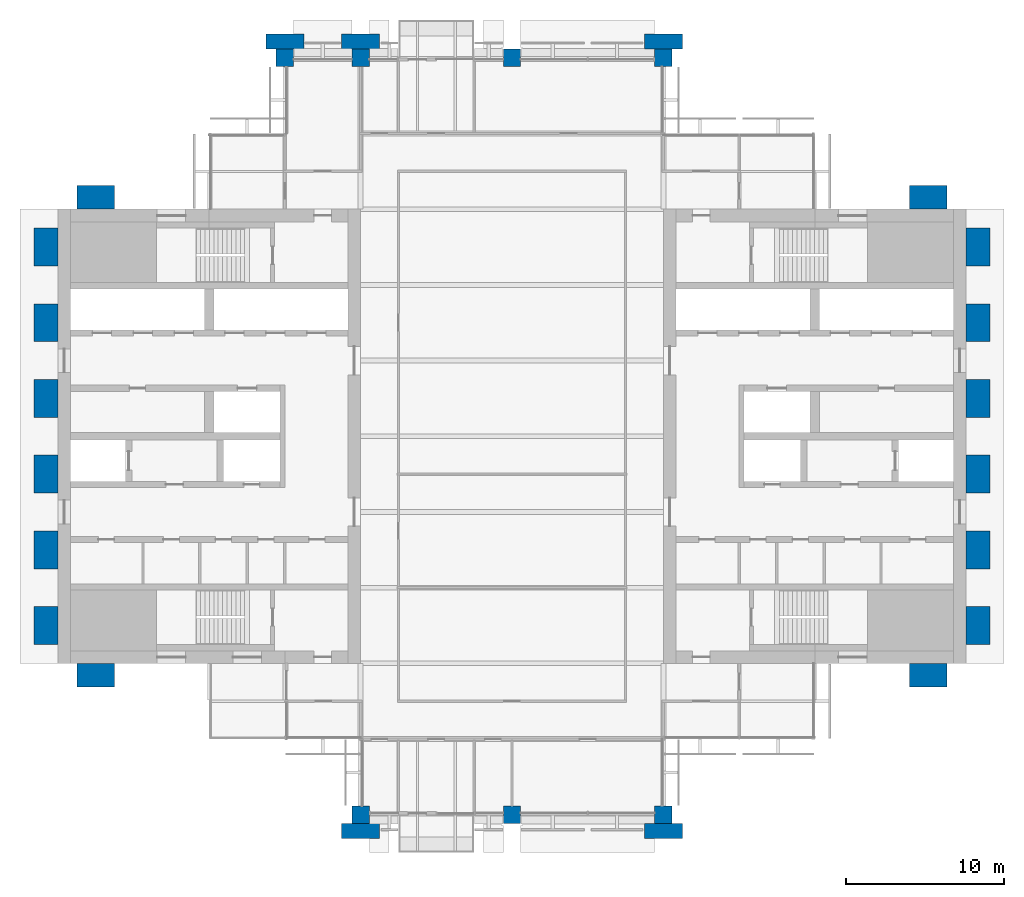
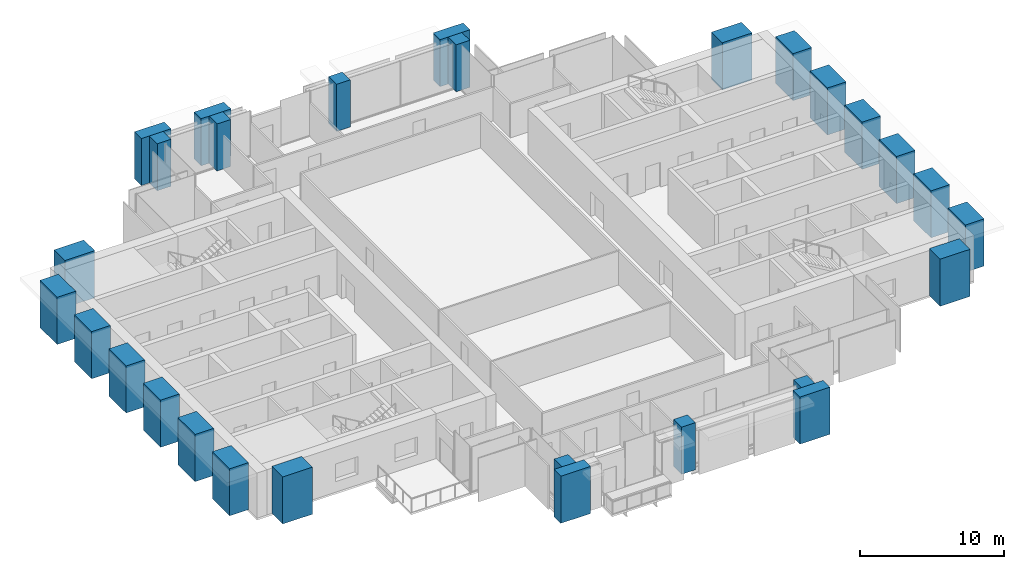
# One storey, part 1 of 14: 28 columns.
"""IFC4 building model written with IfcOpenShell, lengths in metres."""

from ifc_helpers import new_model, si_unit, direction, frame, origin, origin_2d, place, context, subcontext, project, spatial, rectangle, extrude, material, material_profile, profile_set, type_object, element, save


model = new_model("IFC4")

# Units and contexts
model_context = context("Model", 3, precision=1e-05, world=origin(), true_north=direction((0.0, 1.0)))
body_context = subcontext(model_context, "Body", "Model", "MODEL_VIEW")
ifc_project = project(units=[si_unit("LENGTHUNIT", "METRE"), si_unit("AREAUNIT", "SQUARE_METRE"), si_unit("VOLUMEUNIT", "CUBIC_METRE"), si_unit("PLANEANGLEUNIT", "RADIAN"), si_unit("MASSUNIT", "GRAM", prefix="KILO")], contexts=[model_context])

# Site, building, storey
site_placement = place(None, origin())
site = spatial("IfcSite", under=ifc_project, at=site_placement, CompositionType="ELEMENT")
building_placement = place(site_placement, origin())
building = spatial("IfcBuilding", under=site, at=building_placement, Name="Baori Bourse Tower", CompositionType="ELEMENT")
storey_placement = place(building_placement, frame((0.0, 0.0, 209.199951171875)))
storey = spatial("IfcBuildingStorey", under=building, at=storey_placement, Name="L45", CompositionType="ELEMENT", Elevation=209.199951171875)

# Columns
ifc_material_1 = material(Name="Concrete f'c 60 MPa", Category="concrete")
ifc_material_profile_1 = material_profile(ifc_material_1, rectangle(XDim=2.39990234375, YDim=0.949951171875, at=origin_2d()), Name="RC 2400x950")
ifc_profile_set_1 = profile_set([ifc_material_profile_1], Name="Concrete f'c 60 MPa")
column_type_1 = type_object("IfcColumnType", Name="FN3 Brick pilaster 2400x950", PredefinedType="PILASTER", material=ifc_profile_set_1)
for number, where, z_axis, x_axis, name in (
    (1, (19.199951171875, -1.02490234375, 0.0), (0.0, 0.0, 1.0), (1.0, 0.0, 0.0), "Brick pilaster L45 17"),
    (2, (38.39990234375, -1.02490234375, 0.0), (0.0, 0.0, 1.0), (1.0, 0.0, 0.0), "Brick pilaster L45 18"),
    (3, (14.39990234375, 49.02490234375, 0.0), (0.0, 0.0, 1.0), (1.0, 0.0, 0.0), "Brick pilaster L45 19"),
    (4, (19.199951171875, 49.02490234375, 0.0), (0.0, 0.0, 1.0), (1.0, 0.0, 0.0), "Brick pilaster L45 20"),
    (5, (38.39990234375, 49.02490234375, 0.0), (0.0, 0.0, 1.0), (1.0, 0.0, 0.0), "Brick pilaster L45 21"),
):
    element("IfcColumn", number, at=place(storey_placement, frame(where, z_axis=z_axis, x_axis=x_axis)), inside=storey, type_object=column_type_1, Name=name, PredefinedType="PILASTER", context=body_context, shape_type="SweptSolid", body=[
        extrude(rectangle(XDim=2.39990234375, YDim=0.949951171875, at=origin_2d()), origin(), (0.0, 0.0, 1.0), 4.0),
    ])
ifc_material_2 = material(Name="Concrete f'c 60 MPa", Category="concrete")
ifc_material_profile_2 = material_profile(ifc_material_2, rectangle(XDim=2.39990234375, YDim=1.5, at=origin_2d()), Name="RC 2400x1500")
ifc_profile_set_2 = profile_set([ifc_material_profile_2], Name="Concrete f'c 60 MPa")
column_type_2 = type_object("IfcColumnType", Name="FN4 Brick flank pilaster 2400x1500", PredefinedType="PILASTER", material=ifc_profile_set_2)
for number, where, z_axis, x_axis, name in (
    (6, (55.199951171875, 8.85009765625, 0.0), (0.0, 0.0, 1.0), (1.0, 0.0, 0.0), "Brick pilaster L45 1"),
    (7, (58.35009765625, 12.0, 0.0), (0.0, 0.0, 1.0), (0.0, 1.0, 0.0), "Brick pilaster L45 2"),
    (8, (58.35009765625, 16.800048828125, 0.0), (0.0, 0.0, 1.0), (0.0, 1.0, 0.0), "Brick pilaster L45 3"),
    (9, (58.35009765625, 21.60009765625, 0.0), (0.0, 0.0, 1.0), (0.0, 1.0, 0.0), "Brick pilaster L45 4"),
    (10, (58.35009765625, 26.39990234375, 0.0), (0.0, 0.0, 1.0), (0.0, 1.0, 0.0), "Brick pilaster L45 5"),
    (11, (58.35009765625, 31.199951171875, 0.0), (0.0, 0.0, 1.0), (0.0, 1.0, 0.0), "Brick pilaster L45 6"),
    (12, (58.35009765625, 36.0, 0.0), (0.0, 0.0, 1.0), (0.0, 1.0, 0.0), "Brick pilaster L45 7"),
    (13, (55.199951171875, 39.14990234375, 0.0), (0.0, 0.0, 1.0), (1.0, 0.0, 0.0), "Brick pilaster L45 8"),
    (14, (2.39990234375, 39.14990234375, 0.0), (0.0, 0.0, 1.0), (1.0, 0.0, 0.0), "Brick pilaster L45 9"),
    (15, (-0.75, 12.0, 0.0), (0.0, 0.0, 1.0), (0.0, 1.0, 0.0), "Brick pilaster L45 10"),
    (16, (-0.75, 16.800048828125, 0.0), (0.0, 0.0, 1.0), (0.0, 1.0, 0.0), "Brick pilaster L45 11"),
    (17, (-0.75, 21.60009765625, 0.0), (0.0, 0.0, 1.0), (0.0, 1.0, 0.0), "Brick pilaster L45 12"),
    (18, (-0.75, 26.39990234375, 0.0), (0.0, 0.0, 1.0), (0.0, 1.0, 0.0), "Brick pilaster L45 13"),
    (19, (-0.75, 31.199951171875, 0.0), (0.0, 0.0, 1.0), (0.0, 1.0, 0.0), "Brick pilaster L45 14"),
    (20, (-0.75, 36.0, 0.0), (0.0, 0.0, 1.0), (0.0, 1.0, 0.0), "Brick pilaster L45 15"),
    (21, (2.39990234375, 8.85009765625, 0.0), (0.0, 0.0, 1.0), (1.0, 0.0, 0.0), "Brick pilaster L45 16"),
):
    element("IfcColumn", number, at=place(storey_placement, frame(where, z_axis=z_axis, x_axis=x_axis)), inside=storey, type_object=column_type_2, Name=name, PredefinedType="PILASTER", context=body_context, shape_type="SweptSolid", body=[
        extrude(rectangle(XDim=2.39990234375, YDim=1.5, at=origin_2d()), origin(), (0.0, 0.0, 1.0), 4.0),
    ])
ifc_material_3 = material(Name="Concrete f'c 50 MPa", Category="concrete")
ifc_material_profile_3 = material_profile(ifc_material_3, rectangle(XDim=1.10009765625, YDim=1.10009765625, at=origin_2d()), Name="RC 1100x1100")
ifc_profile_set_3 = profile_set([ifc_material_profile_3], Name="Concrete f'c 50 MPa")
column_type_3 = type_object("IfcColumnType", Name="Perimeter column 50 RC 1100x1100", PredefinedType="COLUMN", material=ifc_profile_set_3)
for number, where, z_axis, x_axis, name in (
    (22, (19.199951171875, 0.0, 0.0), (0.0, 0.0, 1.0), (1.0, 0.0, 0.0), "Perimeter column L45"),
    (23, (28.800048828125, 0.0, 0.0), (0.0, 0.0, 1.0), (1.0, 0.0, 0.0), "Perimeter column L45"),
    (24, (38.39990234375, 0.0, 0.0), (0.0, 0.0, 1.0), (1.0, 0.0, 0.0), "Perimeter column L45"),
    (25, (14.39990234375, 48.0, 0.0), (0.0, 0.0, 1.0), (1.0, 0.0, 0.0), "Perimeter column L45"),
    (26, (19.199951171875, 48.0, 0.0), (0.0, 0.0, 1.0), (1.0, 0.0, 0.0), "Perimeter column L45"),
    (27, (28.800048828125, 48.0, 0.0), (0.0, 0.0, 1.0), (1.0, 0.0, 0.0), "Perimeter column L45"),
    (28, (38.39990234375, 48.0, 0.0), (0.0, 0.0, 1.0), (1.0, 0.0, 0.0), "Perimeter column L45"),
):
    element("IfcColumn", number, at=place(storey_placement, frame(where, z_axis=z_axis, x_axis=x_axis)), inside=storey, type_object=column_type_3, Name=name, PredefinedType="COLUMN", context=body_context, shape_type="SweptSolid", body=[
        extrude(rectangle(XDim=1.10009765625, YDim=1.10009765625, at=origin_2d()), origin(), (0.0, 0.0, 1.0), 4.0),
    ])

save(model, "model.ifc")
